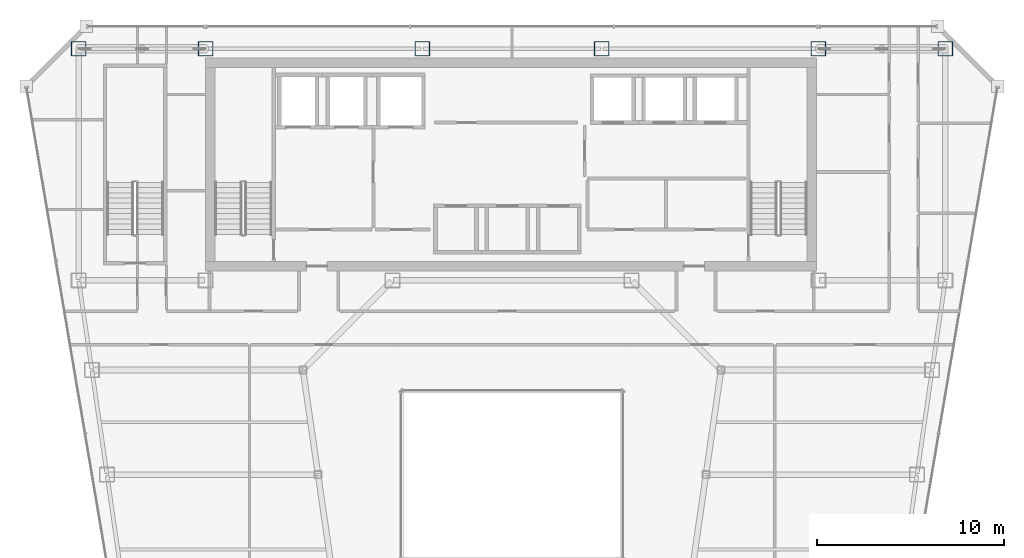
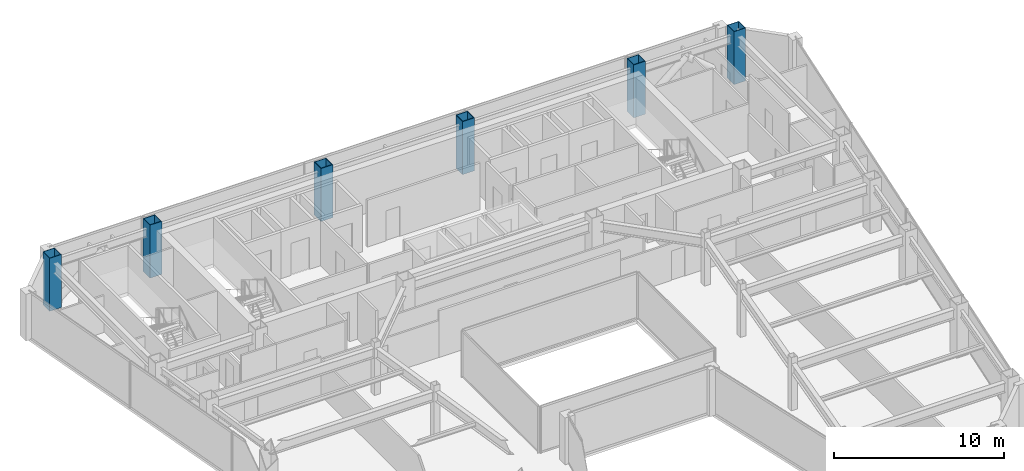
# One storey, part 2 of 34: 6 columns.
"""IFC4 building model written with IfcOpenShell, lengths in metres."""

from ifc_helpers import new_model, si_unit, direction, frame, origin, origin_2d, place, context, subcontext, project, spatial, hollow_rectangle, extrude, material, material_profile, profile_set, type_object, element, save


model = new_model("IFC4")

# Units and contexts
model_context = context("Model", 3, precision=1e-05, world=origin(), true_north=direction((0.0, 1.0)))
body_context = subcontext(model_context, "Body", "Model", "MODEL_VIEW")
ifc_project = project(units=[si_unit("LENGTHUNIT", "METRE"), si_unit("AREAUNIT", "SQUARE_METRE"), si_unit("VOLUMEUNIT", "CUBIC_METRE"), si_unit("PLANEANGLEUNIT", "RADIAN"), si_unit("MASSUNIT", "GRAM", prefix="KILO")], contexts=[model_context])

# Site, building, storey
site_placement = place(None, origin())
site = spatial("IfcSite", under=ifc_project, at=site_placement, CompositionType="ELEMENT")
building_placement = place(site_placement, origin())
building = spatial("IfcBuilding", under=site, at=building_placement, Name="Saevonmaru Cultural Tower", CompositionType="ELEMENT")
storey_placement = place(building_placement, frame((0.0, 0.0, 220.800048828125)))
storey = spatial("IfcBuildingStorey", under=building, at=storey_placement, Name="L51", CompositionType="ELEMENT", Elevation=220.800048828125)

# Columns
ifc_material = material(Name="Steel SM420", Category="steel")
ifc_material_profile = material_profile(ifc_material, hollow_rectangle(XDim=0.800048828125, YDim=0.800048828125, WallThickness=0.035888671875, at=origin_2d()), Name="BOX-800x800x36")
ifc_profile_set = profile_set([ifc_material_profile], Name="Steel SM420")
column_type = type_object("IfcColumnType", Name="COL-BOX-800", PredefinedType="COLUMN", material=ifc_profile_set)
for number, where, z_axis, x_axis, name in (
    (1, (6.800048828125, 54.800048828125, 0.0), (0.0, 0.0, 1.0), (1.0, 0.0, 0.0), "L51 Column TC-N1N"),
    (2, (13.60009765625, 54.800048828125, 0.0), (0.0, 0.0, 1.0), (1.0, 0.0, 0.0), "L51 Column TC-N2N"),
    (3, (25.199951171875, 54.800048828125, 0.0), (0.0, 0.0, 1.0), (1.0, 0.0, 0.0), "L51 Column TC-N3N"),
    (4, (34.800048828125, 54.800048828125, 0.0), (0.0, 0.0, 1.0), (1.0, 0.0, 0.0), "L51 Column TC-N4N"),
    (5, (46.39990234375, 54.800048828125, 0.0), (0.0, 0.0, 1.0), (1.0, 0.0, 0.0), "L51 Column TC-N5N"),
    (6, (53.199951171875, 54.800048828125, 0.0), (0.0, 0.0, 1.0), (1.0, 0.0, 0.0), "L51 Column TC-N6N"),
):
    element("IfcColumn", number, at=place(storey_placement, frame(where, z_axis=z_axis, x_axis=x_axis)), inside=storey, type_object=column_type, Name=name, PredefinedType="COLUMN", context=body_context, shape_type="SweptSolid", body=[
        extrude(hollow_rectangle(XDim=0.800048828125, YDim=0.800048828125, WallThickness=0.035888671875, at=origin_2d()), origin(), (0.0, 0.0, 1.0), 3.800048828125),
    ])

save(model, "model.ifc")
